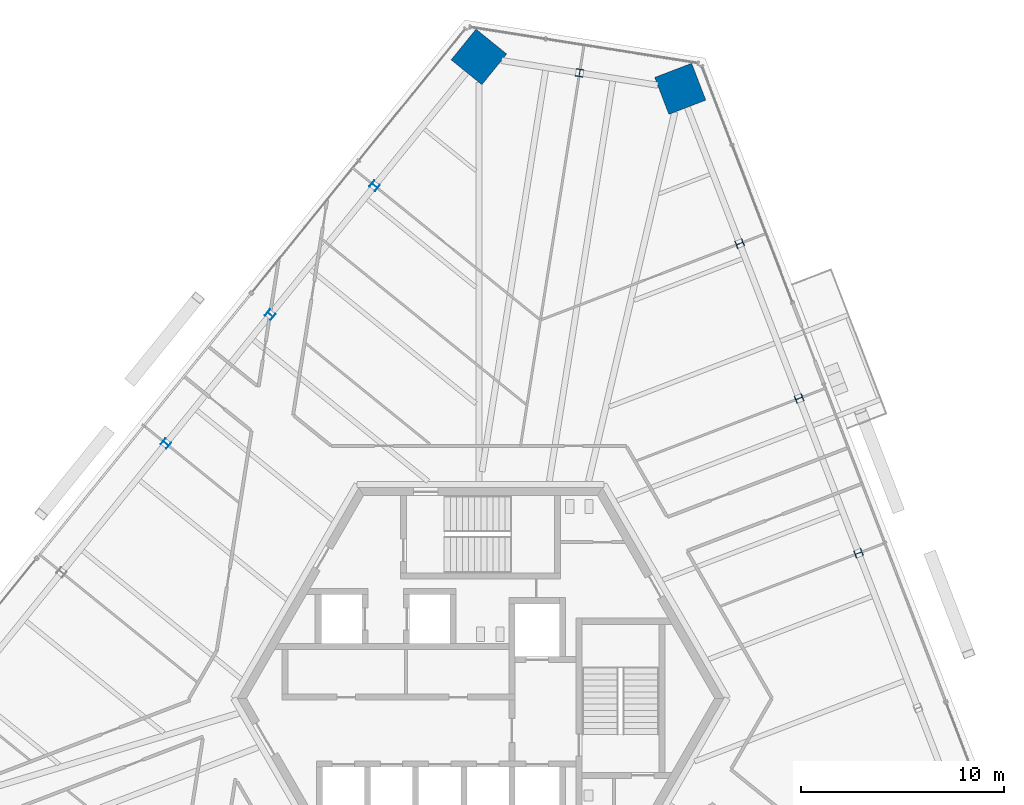
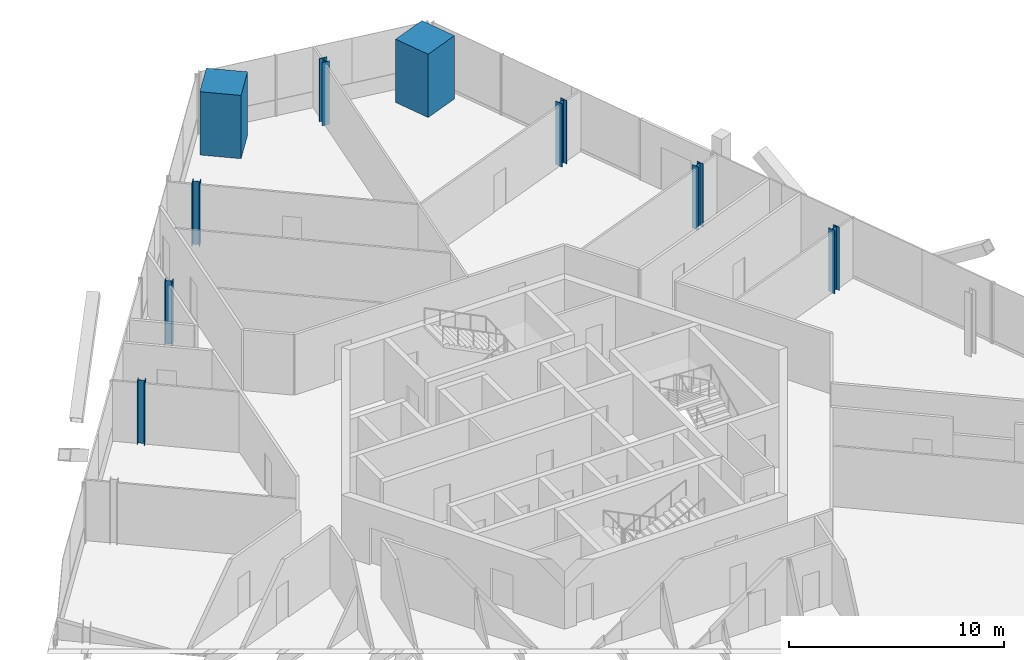
# One storey, part 3 of 18: 9 columns.
"""IFC4 building model written with IfcOpenShell, lengths in metres."""

from ifc_helpers import new_model, si_unit, direction, frame, origin, origin_2d, place, context, subcontext, project, spatial, rectangle, i_section, extrude, source, transform, mapped, material, material_profile, profile_set, type_object, element, save


model = new_model("IFC4")

# Units and contexts
model_context = context("Model", 3, precision=1e-05, world=origin(), true_north=direction((0.0, 1.0)))
body_context = subcontext(model_context, "Body", "Model", "MODEL_VIEW")
ifc_project = project(units=[si_unit("LENGTHUNIT", "METRE"), si_unit("AREAUNIT", "SQUARE_METRE"), si_unit("VOLUMEUNIT", "CUBIC_METRE"), si_unit("PLANEANGLEUNIT", "RADIAN"), si_unit("MASSUNIT", "GRAM", prefix="KILO")], contexts=[model_context])

# Site, building, storey
site_placement = place(None, origin())
site = spatial("IfcSite", under=ifc_project, at=site_placement, CompositionType="ELEMENT")
building_placement = place(site_placement, origin())
building = spatial("IfcBuilding", under=site, at=building_placement, Name="Triune Harvest Tower", CompositionType="ELEMENT")
storey_placement = place(building_placement, frame((0.0, 0.0, 156.89990234375)))
storey = spatial("IfcBuildingStorey", under=building, at=storey_placement, Name="L40", CompositionType="ELEMENT", Elevation=156.89990234375)

# Columns
ifc_material_1 = material(Name="Concrete 70 MPa", Category="concrete")
ifc_material_profile_1 = material_profile(ifc_material_1, rectangle(XDim=1.949951171875, YDim=1.949951171875, at=origin_2d()), Name="Composite 1950x1950")
ifc_profile_set_1 = profile_set([ifc_material_profile_1], Name="Concrete 70 MPa")
column_type_1 = type_object("IfcColumnType", Name="MC-4 Mega column Composite 1950x1950", PredefinedType="COLUMN", material=ifc_profile_set_1)
shared_shape_1 = source(origin(), body_context, "Body", "SweptSolid", [
    extrude(rectangle(XDim=1.949951171875, YDim=1.949951171875, at=origin_2d()), origin(), (0.0, 0.0, 1.0), 3.60009765625),
])
for number, where, z_axis, x_axis, name in (
    (1, (9.846923828125, 30.0498046875, 0.0), (0.0, 0.0, 1.0), (-0.358367949545, 0.933580426497, 0.0), "col/L40/M6"),
    (2, (-0.0791015625, 31.621826171875, 0.0), (0.0, 0.0, 1.0), (-0.629321747424, -0.777144863084, 0.0), "col/L40/M8"),
):
    element("IfcColumn", number, at=place(storey_placement, frame(where, z_axis=z_axis, x_axis=x_axis)), inside=storey, type_object=column_type_1, Name=name, PredefinedType="COLUMN", context=body_context, shape_type="MappedRepresentation", body=[
        mapped(shared_shape_1, transform((0.0, 0.0, 0.0), scale=1.0)),
    ])
ifc_material_2 = material(Name="Steel ASTM A992 Gr 50", Category="steel")
ifc_material_profile_2 = material_profile(ifc_material_2, i_section(OverallWidth=0.373291015625, OverallDepth=0.373291015625, WebThickness=0.016357421875, FlangeThickness=0.026123046875, at=origin_2d()), Name="W14x132")
ifc_profile_set_2 = profile_set([ifc_material_profile_2], Name="Steel ASTM A992 Gr 50")
column_type_2 = type_object("IfcColumnType", Name="PC-4 Perimeter column W14x132", PredefinedType="COLUMN", material=ifc_profile_set_2)
shared_shape_2 = source(origin(), body_context, "Body", "SweptSolid", [
    extrude(i_section(OverallWidth=0.373291015625, OverallDepth=0.373291015625, WebThickness=0.016357421875, FlangeThickness=0.026123046875, at=origin_2d()), origin(), (0.0, 0.0, 1.0), 3.60009765625),
])
for number, where, z_axis, x_axis, name in (
    (3, (18.635986328125, 7.15380859375, 0.0), (0.0, 0.0, 1.0), (-0.358367949545, 0.933580426497, 0.0), "col/L40/P3"),
    (4, (15.706298828125, 14.78564453125, 0.0), (0.0, 0.0, 1.0), (-0.358367949545, 0.933580426497, 0.0), "col/L40/P4"),
    (5, (12.776611328125, 22.417724609375, 0.0), (0.0, 0.0, 1.0), (-0.358367949545, 0.933580426497, 0.0), "col/L40/P5"),
    (6, (4.8837890625, 30.8359375, 0.0), (0.0, 0.0, 1.0), (-0.987688340595, 0.15643446504, 0.0), "col/L40/P7"),
    (7, (-5.223876953125, 25.268798828125, 0.0), (0.0, 0.0, 1.0), (-0.629321747424, -0.777144863084, 0.0), "col/L40/P9"),
    (8, (-10.36865234375, 18.91552734375, 0.0), (0.0, 0.0, 1.0), (-0.629321747424, -0.777144863084, 0.0), "col/L40/P10"),
    (9, (-15.51318359375, 12.5625, 0.0), (0.0, 0.0, 1.0), (-0.629321747424, -0.777144863084, 0.0), "col/L40/P11"),
):
    element("IfcColumn", number, at=place(storey_placement, frame(where, z_axis=z_axis, x_axis=x_axis)), inside=storey, type_object=column_type_2, Name=name, PredefinedType="COLUMN", context=body_context, shape_type="MappedRepresentation", body=[
        mapped(shared_shape_2, transform((0.0, 0.0, 0.0), scale=1.0)),
    ])

save(model, "model.ifc")
